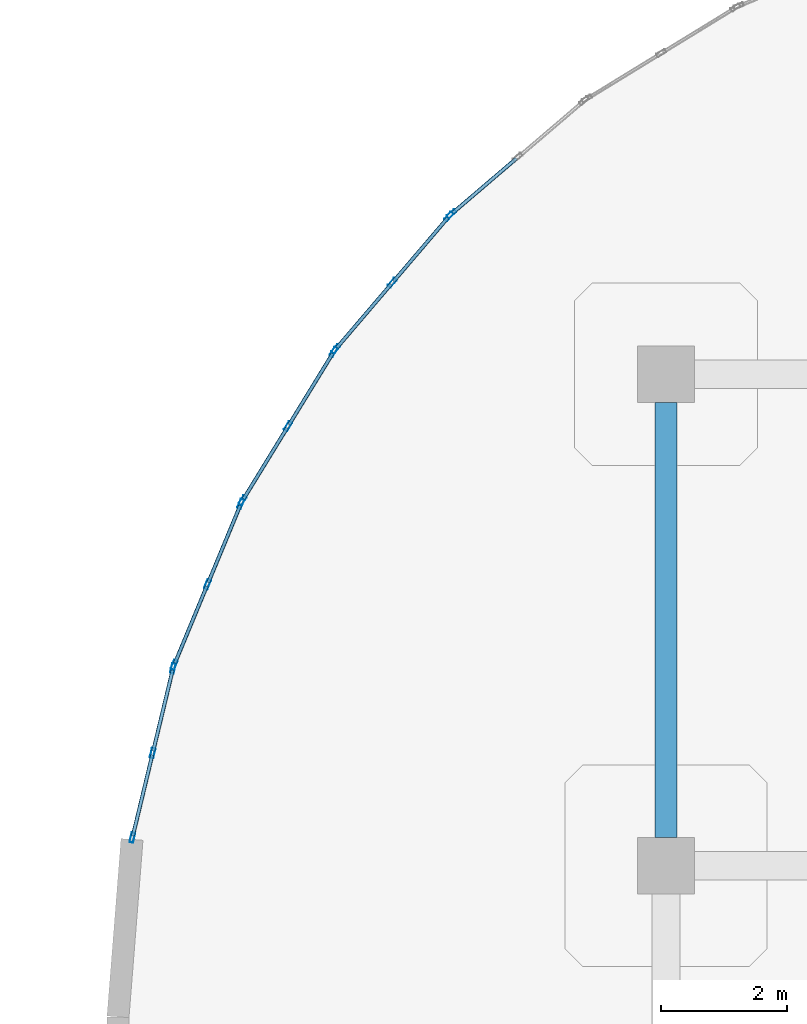
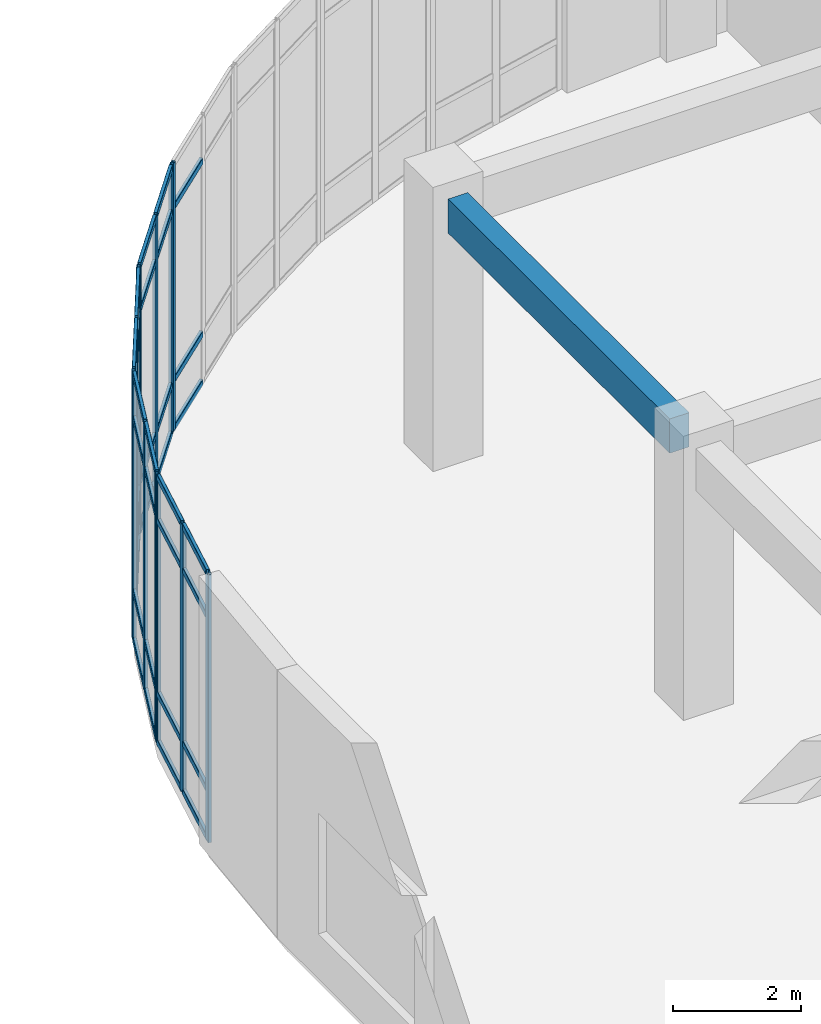
# One storey, part 44 of 114: 48 members, 1 beam, 5 elements without a shape of their own.
"""IFC4 building model written with IfcOpenShell, lengths in metres."""

from ifc_helpers import new_model, si_unit, derived_unit, direction, frame, origin, origin_2d, place, context, subcontext, project, spatial, rectangle, hollow_rectangle, extrude, material, layer, layer_set, material_profile, profile_set, type_object, element, aggregate, save


model = new_model("IFC4")

# Units and contexts
model_context = context("Model", 3, precision=1e-05, world=origin(), true_north=direction((0.0, 1.0)))
body_context = subcontext(model_context, "Body", "Model", "MODEL_VIEW")
ifc_project = project(units=[si_unit("LENGTHUNIT", "METRE"), si_unit("AREAUNIT", "SQUARE_METRE"), si_unit("VOLUMEUNIT", "CUBIC_METRE"), si_unit("PLANEANGLEUNIT", "RADIAN"), si_unit("MASSUNIT", "GRAM", prefix="KILO"), derived_unit("THERMALTRANSMITTANCEUNIT", [(si_unit("MASSUNIT", "GRAM", prefix="KILO"), 1), (si_unit("TIMEUNIT", "SECOND"), -3), (si_unit("THERMODYNAMICTEMPERATUREUNIT", "KELVIN"), -1)])], contexts=[model_context])

# Site, building, storey
site_placement = place(None, origin())
site = spatial("IfcSite", under=ifc_project, at=site_placement, CompositionType="ELEMENT")
building_placement = place(site_placement, origin())
building = spatial("IfcBuilding", under=site, at=building_placement, Name="Qinzheling Arcade Emporium", CompositionType="ELEMENT")
storey_placement = place(building_placement, frame((0.0, 0.0, 6.0)))
storey = spatial("IfcBuildingStorey", under=building, at=storey_placement, Name="L02", CompositionType="ELEMENT", Elevation=6.0)

# Curtain wall, members
ifc_material_1 = material(Name="Anodised aluminium and solar-control double glazing", Category="aluminium")
ifc_layer = layer(ifc_material_1, 0.159912109375, Name="Anodised aluminium and solar-control double glazing", Category="aluminium")
ifc_layer_set = layer_set([ifc_layer], Name="Anodised aluminium and solar-control double glazing")
curtain_wall_type = type_object("IfcCurtainWallType", Name="Curved Ribbon Sales Curtain Wall", PredefinedType="NOTDEFINED", material=ifc_layer_set)
curtain_wall_1_placement = place(storey_placement, origin())
curtain_wall_1 = element("IfcCurtainWall", 1, at=curtain_wall_1_placement, inside=storey, type_object=curtain_wall_type, Name="Curtain Wall CW-L02-094", PredefinedType="NOTDEFINED")
ifc_material_2 = material(Name="Anodised aluminium 6063-T6", Category="aluminium")
ifc_material_profile_1 = material_profile(ifc_material_2, hollow_rectangle(XDim=0.06005859375, YDim=0.159912109375, WallThickness=0.00390625, InnerFilletRadius=0.00390625, OuterFilletRadius=0.008056640625, at=origin_2d()), Name="RHS 160x60x4", Category="aluminium")
ifc_profile_set_1 = profile_set([ifc_material_profile_1], Name="Anodised aluminium 6063-T6")
member_type_1 = type_object("IfcMemberType", Name="Curtain Wall Mullion RHS160x60", PredefinedType="MULLION", material=ifc_profile_set_1)
member_1_placement = place(storey_placement, frame((52.428955078125, 99.445068359375, 0.0), z_axis=(0.0, 0.0, 1.0), x_axis=(-0.972390516216, 0.233359559423, 0.0)))
member_1 = element("IfcMember", 2, at=member_1_placement, type_object=member_type_1, Name="CW02 mullion 1", PredefinedType="MULLION", context=body_context, shape_type="SweptSolid", body=[
    extrude(hollow_rectangle(XDim=0.06005859375, YDim=0.159912109375, WallThickness=0.00390625, InnerFilletRadius=0.00390625, OuterFilletRadius=0.008056640625, at=origin_2d()), origin(), (0.0, 0.0, 1.0), 5.090087890625),
])
member_2_placement = place(storey_placement, frame((52.75146484375, 100.7890625, 0.0), z_axis=(0.0, 0.0, 1.0), x_axis=(-0.972390516216, 0.233359559423, 0.0)))
member_2 = element("IfcMember", 3, at=member_2_placement, type_object=member_type_1, Name="CW02 mullion 2", PredefinedType="MULLION", context=body_context, shape_type="SweptSolid", body=[
    extrude(hollow_rectangle(XDim=0.06005859375, YDim=0.159912109375, WallThickness=0.00390625, InnerFilletRadius=0.00390625, OuterFilletRadius=0.008056640625, at=origin_2d()), origin(), (0.0, 0.0, 1.0), 5.090087890625),
])
member_3_placement = place(storey_placement, frame((53.073974609375, 102.1328125, 0.0), z_axis=(0.0, 0.0, 1.0), x_axis=(-0.972390516216, 0.233359559423, 0.0)))
member_3 = element("IfcMember", 4, at=member_3_placement, type_object=member_type_1, Name="CW02 mullion 3", PredefinedType="MULLION", context=body_context, shape_type="SweptSolid", body=[
    extrude(hollow_rectangle(XDim=0.06005859375, YDim=0.159912109375, WallThickness=0.00390625, InnerFilletRadius=0.00390625, OuterFilletRadius=0.008056640625, at=origin_2d()), origin(), (0.0, 0.0, 1.0), 5.090087890625),
])

curtain_wall_2_placement = place(storey_placement, origin())
curtain_wall_2 = element("IfcCurtainWall", 5, at=curtain_wall_2_placement, inside=storey, type_object=curtain_wall_type, Name="Curtain Wall CW-L02-095", PredefinedType="NOTDEFINED")
member_4_placement = place(storey_placement, frame((53.092529296875, 102.189697265625, 0.0), z_axis=(0.0, 0.0, 1.0), x_axis=(-0.923891721508, 0.382654004198, 0.0)))
member_4 = element("IfcMember", 6, at=member_4_placement, type_object=member_type_1, Name="CW02 mullion 1", PredefinedType="MULLION", context=body_context, shape_type="SweptSolid", body=[
    extrude(hollow_rectangle(XDim=0.06005859375, YDim=0.159912109375, WallThickness=0.00390625, InnerFilletRadius=0.00390625, OuterFilletRadius=0.008056640625, at=origin_2d()), origin(), (0.0, 0.0, 1.0), 5.090087890625),
])
member_5_placement = place(storey_placement, frame((53.62158203125, 103.467041015625, 0.0), z_axis=(0.0, 0.0, 1.0), x_axis=(-0.923891721508, 0.382654004198, 0.0)))
member_5 = element("IfcMember", 7, at=member_5_placement, type_object=member_type_1, Name="CW02 mullion 2", PredefinedType="MULLION", context=body_context, shape_type="SweptSolid", body=[
    extrude(hollow_rectangle(XDim=0.06005859375, YDim=0.159912109375, WallThickness=0.00390625, InnerFilletRadius=0.00390625, OuterFilletRadius=0.008056640625, at=origin_2d()), origin(), (0.0, 0.0, 1.0), 5.090087890625),
])
member_6_placement = place(storey_placement, frame((54.150634765625, 104.744384765625, 0.0), z_axis=(0.0, 0.0, 1.0), x_axis=(-0.923891721508, 0.382654004198, 0.0)))
member_6 = element("IfcMember", 8, at=member_6_placement, type_object=member_type_1, Name="CW02 mullion 3", PredefinedType="MULLION", context=body_context, shape_type="SweptSolid", body=[
    extrude(hollow_rectangle(XDim=0.06005859375, YDim=0.159912109375, WallThickness=0.00390625, InnerFilletRadius=0.00390625, OuterFilletRadius=0.008056640625, at=origin_2d()), origin(), (0.0, 0.0, 1.0), 5.090087890625),
])

curtain_wall_3_placement = place(storey_placement, origin())
curtain_wall_3 = element("IfcCurtainWall", 9, at=curtain_wall_3_placement, inside=storey, type_object=curtain_wall_type, Name="Curtain Wall CW-L02-096", PredefinedType="NOTDEFINED")
member_7_placement = place(storey_placement, frame((54.177734375, 104.797607421875, 0.0), z_axis=(0.0, 0.0, 1.0), x_axis=(-0.852580897222, 0.522595267575, 0.0)))
member_7 = element("IfcMember", 10, at=member_7_placement, type_object=member_type_1, Name="CW02 mullion 1", PredefinedType="MULLION", context=body_context, shape_type="SweptSolid", body=[
    extrude(hollow_rectangle(XDim=0.06005859375, YDim=0.159912109375, WallThickness=0.00390625, InnerFilletRadius=0.00390625, OuterFilletRadius=0.008056640625, at=origin_2d()), origin(), (0.0, 0.0, 1.0), 5.090087890625),
])
member_8_placement = place(storey_placement, frame((54.89990234375, 105.97607421875, 0.0), z_axis=(0.0, 0.0, 1.0), x_axis=(-0.852580897222, 0.522595267575, 0.0)))
member_8 = element("IfcMember", 11, at=member_8_placement, type_object=member_type_1, Name="CW02 mullion 2", PredefinedType="MULLION", context=body_context, shape_type="SweptSolid", body=[
    extrude(hollow_rectangle(XDim=0.06005859375, YDim=0.159912109375, WallThickness=0.00390625, InnerFilletRadius=0.00390625, OuterFilletRadius=0.008056640625, at=origin_2d()), origin(), (0.0, 0.0, 1.0), 5.090087890625),
])
member_9_placement = place(storey_placement, frame((55.622314453125, 107.154541015625, 0.0), z_axis=(0.0, 0.0, 1.0), x_axis=(-0.852580897222, 0.522595267575, 0.0)))
member_9 = element("IfcMember", 12, at=member_9_placement, type_object=member_type_1, Name="CW02 mullion 3", PredefinedType="MULLION", context=body_context, shape_type="SweptSolid", body=[
    extrude(hollow_rectangle(XDim=0.06005859375, YDim=0.159912109375, WallThickness=0.00390625, InnerFilletRadius=0.00390625, OuterFilletRadius=0.008056640625, at=origin_2d()), origin(), (0.0, 0.0, 1.0), 5.090087890625),
])

curtain_wall_4_placement = place(storey_placement, origin())
curtain_wall_4 = element("IfcCurtainWall", 13, at=curtain_wall_4_placement, inside=storey, type_object=curtain_wall_type, Name="Curtain Wall CW-L02-097", PredefinedType="NOTDEFINED")
member_10_placement = place(storey_placement, frame((55.657470703125, 107.202880859375, 0.0), z_axis=(0.0, 0.0, 1.0), x_axis=(-0.760504799831, 0.64933231048, 0.0)))
member_10 = element("IfcMember", 14, at=member_10_placement, type_object=member_type_1, Name="CW02 mullion 1", PredefinedType="MULLION", context=body_context, shape_type="SweptSolid", body=[
    extrude(hollow_rectangle(XDim=0.06005859375, YDim=0.159912109375, WallThickness=0.00390625, InnerFilletRadius=0.00390625, OuterFilletRadius=0.008056640625, at=origin_2d()), origin(), (0.0, 0.0, 1.0), 5.090087890625),
])
member_11_placement = place(storey_placement, frame((56.554931640625, 108.25390625, 0.0), z_axis=(0.0, 0.0, 1.0), x_axis=(-0.760504799831, 0.64933231048, 0.0)))
member_11 = element("IfcMember", 15, at=member_11_placement, type_object=member_type_1, Name="CW02 mullion 2", PredefinedType="MULLION", context=body_context, shape_type="SweptSolid", body=[
    extrude(hollow_rectangle(XDim=0.06005859375, YDim=0.159912109375, WallThickness=0.00390625, InnerFilletRadius=0.00390625, OuterFilletRadius=0.008056640625, at=origin_2d()), origin(), (0.0, 0.0, 1.0), 5.090087890625),
])
member_12_placement = place(storey_placement, frame((57.45263671875, 109.30517578125, 0.0), z_axis=(0.0, 0.0, 1.0), x_axis=(-0.760504799831, 0.64933231048, 0.0)))
member_12 = element("IfcMember", 16, at=member_12_placement, type_object=member_type_1, Name="CW02 mullion 3", PredefinedType="MULLION", context=body_context, shape_type="SweptSolid", body=[
    extrude(hollow_rectangle(XDim=0.06005859375, YDim=0.159912109375, WallThickness=0.00390625, InnerFilletRadius=0.00390625, OuterFilletRadius=0.008056640625, at=origin_2d()), origin(), (0.0, 0.0, 1.0), 5.090087890625),
])

# Curtain wall, member
curtain_wall_5_placement = place(storey_placement, origin())
curtain_wall_5 = element("IfcCurtainWall", 17, at=curtain_wall_5_placement, inside=storey, type_object=curtain_wall_type, Name="Curtain Wall CW-L02-098", PredefinedType="NOTDEFINED")
member_13_placement = place(storey_placement, frame((57.494873046875, 109.347412109375, 0.0), z_axis=(0.0, 0.0, 1.0), x_axis=(-0.64933231048, 0.760504799831, 0.0)))
member_13 = element("IfcMember", 18, at=member_13_placement, type_object=member_type_1, Name="CW02 mullion 1", PredefinedType="MULLION", context=body_context, shape_type="SweptSolid", body=[
    extrude(hollow_rectangle(XDim=0.06005859375, YDim=0.159912109375, WallThickness=0.00390625, InnerFilletRadius=0.00390625, OuterFilletRadius=0.008056640625, at=origin_2d()), origin(), (0.0, 0.0, 1.0), 5.090087890625),
])

# Member
ifc_material_profile_2 = material_profile(ifc_material_2, hollow_rectangle(XDim=0.06005859375, YDim=0.1201171875, WallThickness=0.00390625, InnerFilletRadius=0.00390625, OuterFilletRadius=0.008056640625, at=origin_2d()), Name="RHS 120x60x4", Category="aluminium")
ifc_profile_set_2 = profile_set([ifc_material_profile_2], Name="Anodised aluminium 6063-T6")
member_type_2 = type_object("IfcMemberType", Name="Curtain Wall Transom RHS120x60", PredefinedType="USERDEFINED", material=ifc_profile_set_2)
member_14_placement = place(storey_placement, frame((52.43603515625, 99.474365234375, 0.030029296875), z_axis=(0.233268170265, 0.97241244374, 0.0), x_axis=(-0.97241244374, 0.233268170265, 0.0)))
member_14 = element("IfcMember", 19, at=member_14_placement, type_object=member_type_2, Name="CW02 transom 1.1", ObjectType="TRANSOM", PredefinedType="USERDEFINED", context=body_context, shape_type="SweptSolid", body=[
    extrude(hollow_rectangle(XDim=0.06005859375, YDim=0.1201171875, WallThickness=0.00390625, InnerFilletRadius=0.00390625, OuterFilletRadius=0.008056640625, at=origin_2d()), origin(), (0.0, 0.0, 1.0), 1.32177734375),
])

member_15_placement = place(storey_placement, frame((52.43603515625, 99.474365234375, 0.949951171875), z_axis=(0.233268170265, 0.97241244374, 0.0), x_axis=(-0.97241244374, 0.233268170265, 0.0)))
member_15 = element("IfcMember", 20, at=member_15_placement, type_object=member_type_2, Name="CW02 transom 1.2", ObjectType="TRANSOM", PredefinedType="USERDEFINED", context=body_context, shape_type="SweptSolid", body=[
    extrude(hollow_rectangle(XDim=0.06005859375, YDim=0.1201171875, WallThickness=0.00390625, InnerFilletRadius=0.00390625, OuterFilletRadius=0.008056640625, at=origin_2d()), origin(), (0.0, 0.0, 1.0), 1.32177734375),
])

member_16_placement = place(storey_placement, frame((52.43603515625, 99.474365234375, 4.239990234375), z_axis=(0.233268170265, 0.97241244374, 0.0), x_axis=(-0.97241244374, 0.233268170265, 0.0)))
member_16 = element("IfcMember", 21, at=member_16_placement, type_object=member_type_2, Name="CW02 transom 1.3", ObjectType="TRANSOM", PredefinedType="USERDEFINED", context=body_context, shape_type="SweptSolid", body=[
    extrude(hollow_rectangle(XDim=0.06005859375, YDim=0.1201171875, WallThickness=0.00390625, InnerFilletRadius=0.00390625, OuterFilletRadius=0.008056640625, at=origin_2d()), origin(), (0.0, 0.0, 1.0), 1.32177734375),
])

member_17_placement = place(storey_placement, frame((52.43603515625, 99.474365234375, 5.06005859375), z_axis=(0.233268170265, 0.97241244374, 0.0), x_axis=(-0.97241244374, 0.233268170265, 0.0)))
member_17 = element("IfcMember", 22, at=member_17_placement, type_object=member_type_2, Name="CW02 transom 1.4", ObjectType="TRANSOM", PredefinedType="USERDEFINED", context=body_context, shape_type="SweptSolid", body=[
    extrude(hollow_rectangle(XDim=0.06005859375, YDim=0.1201171875, WallThickness=0.00390625, InnerFilletRadius=0.00390625, OuterFilletRadius=0.008056640625, at=origin_2d()), origin(), (0.0, 0.0, 1.0), 1.32177734375),
])

member_18_placement = place(storey_placement, frame((52.758544921875, 100.818115234375, 0.030029296875), z_axis=(0.233226282964, 0.972422490965, 0.0), x_axis=(-0.972422490965, 0.233226282964, 0.0)))
member_18 = element("IfcMember", 23, at=member_18_placement, type_object=member_type_2, Name="CW02 transom 2.1", ObjectType="TRANSOM", PredefinedType="USERDEFINED", context=body_context, shape_type="SweptSolid", body=[
    extrude(hollow_rectangle(XDim=0.06005859375, YDim=0.1201171875, WallThickness=0.00390625, InnerFilletRadius=0.00390625, OuterFilletRadius=0.008056640625, at=origin_2d()), origin(), (0.0, 0.0, 1.0), 1.322021484375),
])

member_19_placement = place(storey_placement, frame((52.758544921875, 100.818115234375, 0.949951171875), z_axis=(0.233226282964, 0.972422490965, 0.0), x_axis=(-0.972422490965, 0.233226282964, 0.0)))
member_19 = element("IfcMember", 24, at=member_19_placement, type_object=member_type_2, Name="CW02 transom 2.2", ObjectType="TRANSOM", PredefinedType="USERDEFINED", context=body_context, shape_type="SweptSolid", body=[
    extrude(hollow_rectangle(XDim=0.06005859375, YDim=0.1201171875, WallThickness=0.00390625, InnerFilletRadius=0.00390625, OuterFilletRadius=0.008056640625, at=origin_2d()), origin(), (0.0, 0.0, 1.0), 1.322021484375),
])

member_20_placement = place(storey_placement, frame((52.758544921875, 100.818115234375, 4.239990234375), z_axis=(0.233226282964, 0.972422490965, 0.0), x_axis=(-0.972422490965, 0.233226282964, 0.0)))
member_20 = element("IfcMember", 25, at=member_20_placement, type_object=member_type_2, Name="CW02 transom 2.3", ObjectType="TRANSOM", PredefinedType="USERDEFINED", context=body_context, shape_type="SweptSolid", body=[
    extrude(hollow_rectangle(XDim=0.06005859375, YDim=0.1201171875, WallThickness=0.00390625, InnerFilletRadius=0.00390625, OuterFilletRadius=0.008056640625, at=origin_2d()), origin(), (0.0, 0.0, 1.0), 1.322021484375),
])

member_21_placement = place(storey_placement, frame((52.758544921875, 100.818115234375, 5.06005859375), z_axis=(0.233226282964, 0.972422490965, 0.0), x_axis=(-0.972422490965, 0.233226282964, 0.0)))
member_21 = element("IfcMember", 26, at=member_21_placement, type_object=member_type_2, Name="CW02 transom 2.4", ObjectType="TRANSOM", PredefinedType="USERDEFINED", context=body_context, shape_type="SweptSolid", body=[
    extrude(hollow_rectangle(XDim=0.06005859375, YDim=0.1201171875, WallThickness=0.00390625, InnerFilletRadius=0.00390625, OuterFilletRadius=0.008056640625, at=origin_2d()), origin(), (0.0, 0.0, 1.0), 1.322021484375),
])

aggregate(curtain_wall_1, [member_1, member_2, member_3, member_14, member_15, member_16, member_17, member_18, member_19, member_20, member_21])

member_22_placement = place(storey_placement, frame((53.10400390625, 102.217529296875, 0.030029296875), z_axis=(0.382726820974, 0.923861559167, 0.0), x_axis=(-0.923861559167, 0.382726820974, 0.0)))
member_22 = element("IfcMember", 27, at=member_22_placement, type_object=member_type_2, Name="CW02 transom 1.1", ObjectType="TRANSOM", PredefinedType="USERDEFINED", context=body_context, shape_type="SweptSolid", body=[
    extrude(hollow_rectangle(XDim=0.06005859375, YDim=0.1201171875, WallThickness=0.00390625, InnerFilletRadius=0.00390625, OuterFilletRadius=0.008056640625, at=origin_2d()), origin(), (0.0, 0.0, 1.0), 1.322265625),
])

member_23_placement = place(storey_placement, frame((53.10400390625, 102.217529296875, 0.949951171875), z_axis=(0.382726820974, 0.923861559167, 0.0), x_axis=(-0.923861559167, 0.382726820974, 0.0)))
member_23 = element("IfcMember", 28, at=member_23_placement, type_object=member_type_2, Name="CW02 transom 1.2", ObjectType="TRANSOM", PredefinedType="USERDEFINED", context=body_context, shape_type="SweptSolid", body=[
    extrude(hollow_rectangle(XDim=0.06005859375, YDim=0.1201171875, WallThickness=0.00390625, InnerFilletRadius=0.00390625, OuterFilletRadius=0.008056640625, at=origin_2d()), origin(), (0.0, 0.0, 1.0), 1.322265625),
])

member_24_placement = place(storey_placement, frame((53.10400390625, 102.217529296875, 4.239990234375), z_axis=(0.382726820974, 0.923861559167, 0.0), x_axis=(-0.923861559167, 0.382726820974, 0.0)))
member_24 = element("IfcMember", 29, at=member_24_placement, type_object=member_type_2, Name="CW02 transom 1.3", ObjectType="TRANSOM", PredefinedType="USERDEFINED", context=body_context, shape_type="SweptSolid", body=[
    extrude(hollow_rectangle(XDim=0.06005859375, YDim=0.1201171875, WallThickness=0.00390625, InnerFilletRadius=0.00390625, OuterFilletRadius=0.008056640625, at=origin_2d()), origin(), (0.0, 0.0, 1.0), 1.322265625),
])

member_25_placement = place(storey_placement, frame((53.10400390625, 102.217529296875, 5.06005859375), z_axis=(0.382726820974, 0.923861559167, 0.0), x_axis=(-0.923861559167, 0.382726820974, 0.0)))
member_25 = element("IfcMember", 30, at=member_25_placement, type_object=member_type_2, Name="CW02 transom 1.4", ObjectType="TRANSOM", PredefinedType="USERDEFINED", context=body_context, shape_type="SweptSolid", body=[
    extrude(hollow_rectangle(XDim=0.06005859375, YDim=0.1201171875, WallThickness=0.00390625, InnerFilletRadius=0.00390625, OuterFilletRadius=0.008056640625, at=origin_2d()), origin(), (0.0, 0.0, 1.0), 1.322265625),
])

member_26_placement = place(storey_placement, frame((53.633056640625, 103.49462890625, 0.030029296875), z_axis=(0.382661550363, 0.92388859603, 0.0), x_axis=(-0.92388859603, 0.382661550363, 0.0)))
member_26 = element("IfcMember", 31, at=member_26_placement, type_object=member_type_2, Name="CW02 transom 2.1", ObjectType="TRANSOM", PredefinedType="USERDEFINED", context=body_context, shape_type="SweptSolid", body=[
    extrude(hollow_rectangle(XDim=0.06005859375, YDim=0.1201171875, WallThickness=0.00390625, InnerFilletRadius=0.00390625, OuterFilletRadius=0.008056640625, at=origin_2d()), origin(), (0.0, 0.0, 1.0), 1.322509765625),
])

member_27_placement = place(storey_placement, frame((53.633056640625, 103.49462890625, 0.949951171875), z_axis=(0.382661550363, 0.92388859603, 0.0), x_axis=(-0.92388859603, 0.382661550363, 0.0)))
member_27 = element("IfcMember", 32, at=member_27_placement, type_object=member_type_2, Name="CW02 transom 2.2", ObjectType="TRANSOM", PredefinedType="USERDEFINED", context=body_context, shape_type="SweptSolid", body=[
    extrude(hollow_rectangle(XDim=0.06005859375, YDim=0.1201171875, WallThickness=0.00390625, InnerFilletRadius=0.00390625, OuterFilletRadius=0.008056640625, at=origin_2d()), origin(), (0.0, 0.0, 1.0), 1.322509765625),
])

member_28_placement = place(storey_placement, frame((53.633056640625, 103.49462890625, 4.239990234375), z_axis=(0.382661550363, 0.92388859603, 0.0), x_axis=(-0.92388859603, 0.382661550363, 0.0)))
member_28 = element("IfcMember", 33, at=member_28_placement, type_object=member_type_2, Name="CW02 transom 2.3", ObjectType="TRANSOM", PredefinedType="USERDEFINED", context=body_context, shape_type="SweptSolid", body=[
    extrude(hollow_rectangle(XDim=0.06005859375, YDim=0.1201171875, WallThickness=0.00390625, InnerFilletRadius=0.00390625, OuterFilletRadius=0.008056640625, at=origin_2d()), origin(), (0.0, 0.0, 1.0), 1.322509765625),
])

member_29_placement = place(storey_placement, frame((53.633056640625, 103.49462890625, 5.06005859375), z_axis=(0.382661550363, 0.92388859603, 0.0), x_axis=(-0.92388859603, 0.382661550363, 0.0)))
member_29 = element("IfcMember", 34, at=member_29_placement, type_object=member_type_2, Name="CW02 transom 2.4", ObjectType="TRANSOM", PredefinedType="USERDEFINED", context=body_context, shape_type="SweptSolid", body=[
    extrude(hollow_rectangle(XDim=0.06005859375, YDim=0.1201171875, WallThickness=0.00390625, InnerFilletRadius=0.00390625, OuterFilletRadius=0.008056640625, at=origin_2d()), origin(), (0.0, 0.0, 1.0), 1.322509765625),
])

aggregate(curtain_wall_2, [member_4, member_5, member_6, member_22, member_23, member_24, member_25, member_26, member_27, member_28, member_29])

member_30_placement = place(storey_placement, frame((54.193359375, 104.8232421875, 0.030029296875), z_axis=(0.522592368923, 0.852582673964, 0.0), x_axis=(-0.852582673964, 0.522592368923, 0.0)))
member_30 = element("IfcMember", 35, at=member_30_placement, type_object=member_type_2, Name="CW02 transom 1.1", ObjectType="TRANSOM", PredefinedType="USERDEFINED", context=body_context, shape_type="SweptSolid", body=[
    extrude(hollow_rectangle(XDim=0.06005859375, YDim=0.1201171875, WallThickness=0.00390625, InnerFilletRadius=0.00390625, OuterFilletRadius=0.008056640625, at=origin_2d()), origin(), (0.0, 0.0, 1.0), 1.322021484375),
])

member_31_placement = place(storey_placement, frame((54.193359375, 104.8232421875, 0.949951171875), z_axis=(0.522592368923, 0.852582673964, 0.0), x_axis=(-0.852582673964, 0.522592368923, 0.0)))
member_31 = element("IfcMember", 36, at=member_31_placement, type_object=member_type_2, Name="CW02 transom 1.2", ObjectType="TRANSOM", PredefinedType="USERDEFINED", context=body_context, shape_type="SweptSolid", body=[
    extrude(hollow_rectangle(XDim=0.06005859375, YDim=0.1201171875, WallThickness=0.00390625, InnerFilletRadius=0.00390625, OuterFilletRadius=0.008056640625, at=origin_2d()), origin(), (0.0, 0.0, 1.0), 1.322021484375),
])

member_32_placement = place(storey_placement, frame((54.193359375, 104.8232421875, 4.239990234375), z_axis=(0.522592368923, 0.852582673964, 0.0), x_axis=(-0.852582673964, 0.522592368923, 0.0)))
member_32 = element("IfcMember", 37, at=member_32_placement, type_object=member_type_2, Name="CW02 transom 1.3", ObjectType="TRANSOM", PredefinedType="USERDEFINED", context=body_context, shape_type="SweptSolid", body=[
    extrude(hollow_rectangle(XDim=0.06005859375, YDim=0.1201171875, WallThickness=0.00390625, InnerFilletRadius=0.00390625, OuterFilletRadius=0.008056640625, at=origin_2d()), origin(), (0.0, 0.0, 1.0), 1.322021484375),
])

member_33_placement = place(storey_placement, frame((54.193359375, 104.8232421875, 5.06005859375), z_axis=(0.522592368923, 0.852582673964, 0.0), x_axis=(-0.852582673964, 0.522592368923, 0.0)))
member_33 = element("IfcMember", 38, at=member_33_placement, type_object=member_type_2, Name="CW02 transom 1.4", ObjectType="TRANSOM", PredefinedType="USERDEFINED", context=body_context, shape_type="SweptSolid", body=[
    extrude(hollow_rectangle(XDim=0.06005859375, YDim=0.1201171875, WallThickness=0.00390625, InnerFilletRadius=0.00390625, OuterFilletRadius=0.008056640625, at=origin_2d()), origin(), (0.0, 0.0, 1.0), 1.322021484375),
])

member_34_placement = place(storey_placement, frame((54.915771484375, 106.00146484375, 0.030029296875), z_axis=(0.522510102869, 0.852633093657, 0.0), x_axis=(-0.852633093657, 0.522510102869, 0.0)))
member_34 = element("IfcMember", 39, at=member_34_placement, type_object=member_type_2, Name="CW02 transom 2.1", ObjectType="TRANSOM", PredefinedType="USERDEFINED", context=body_context, shape_type="SweptSolid", body=[
    extrude(hollow_rectangle(XDim=0.06005859375, YDim=0.1201171875, WallThickness=0.00390625, InnerFilletRadius=0.00390625, OuterFilletRadius=0.008056640625, at=origin_2d()), origin(), (0.0, 0.0, 1.0), 1.322265625),
])

member_35_placement = place(storey_placement, frame((54.915771484375, 106.00146484375, 0.949951171875), z_axis=(0.522510102869, 0.852633093657, 0.0), x_axis=(-0.852633093657, 0.522510102869, 0.0)))
member_35 = element("IfcMember", 40, at=member_35_placement, type_object=member_type_2, Name="CW02 transom 2.2", ObjectType="TRANSOM", PredefinedType="USERDEFINED", context=body_context, shape_type="SweptSolid", body=[
    extrude(hollow_rectangle(XDim=0.06005859375, YDim=0.1201171875, WallThickness=0.00390625, InnerFilletRadius=0.00390625, OuterFilletRadius=0.008056640625, at=origin_2d()), origin(), (0.0, 0.0, 1.0), 1.322265625),
])

member_36_placement = place(storey_placement, frame((54.915771484375, 106.00146484375, 4.239990234375), z_axis=(0.522510102869, 0.852633093657, 0.0), x_axis=(-0.852633093657, 0.522510102869, 0.0)))
member_36 = element("IfcMember", 41, at=member_36_placement, type_object=member_type_2, Name="CW02 transom 2.3", ObjectType="TRANSOM", PredefinedType="USERDEFINED", context=body_context, shape_type="SweptSolid", body=[
    extrude(hollow_rectangle(XDim=0.06005859375, YDim=0.1201171875, WallThickness=0.00390625, InnerFilletRadius=0.00390625, OuterFilletRadius=0.008056640625, at=origin_2d()), origin(), (0.0, 0.0, 1.0), 1.322265625),
])

member_37_placement = place(storey_placement, frame((54.915771484375, 106.00146484375, 5.06005859375), z_axis=(0.522510102869, 0.852633093657, 0.0), x_axis=(-0.852633093657, 0.522510102869, 0.0)))
member_37 = element("IfcMember", 42, at=member_37_placement, type_object=member_type_2, Name="CW02 transom 2.4", ObjectType="TRANSOM", PredefinedType="USERDEFINED", context=body_context, shape_type="SweptSolid", body=[
    extrude(hollow_rectangle(XDim=0.06005859375, YDim=0.1201171875, WallThickness=0.00390625, InnerFilletRadius=0.00390625, OuterFilletRadius=0.008056640625, at=origin_2d()), origin(), (0.0, 0.0, 1.0), 1.322265625),
])

aggregate(curtain_wall_3, [member_7, member_8, member_9, member_30, member_31, member_32, member_33, member_34, member_35, member_36, member_37])

member_38_placement = place(storey_placement, frame((55.677001953125, 107.2255859375, 0.030029296875), z_axis=(0.649238932665, 0.760584517534, 0.0), x_axis=(-0.760584517534, 0.649238932665, 0.0)))
member_38 = element("IfcMember", 43, at=member_38_placement, type_object=member_type_2, Name="CW02 transom 1.1", ObjectType="TRANSOM", PredefinedType="USERDEFINED", context=body_context, shape_type="SweptSolid", body=[
    extrude(hollow_rectangle(XDim=0.06005859375, YDim=0.1201171875, WallThickness=0.00390625, InnerFilletRadius=0.00390625, OuterFilletRadius=0.008056640625, at=origin_2d()), origin(), (0.0, 0.0, 1.0), 1.322265625),
])

member_39_placement = place(storey_placement, frame((55.677001953125, 107.2255859375, 0.949951171875), z_axis=(0.649238932665, 0.760584517534, 0.0), x_axis=(-0.760584517534, 0.649238932665, 0.0)))
member_39 = element("IfcMember", 44, at=member_39_placement, type_object=member_type_2, Name="CW02 transom 1.2", ObjectType="TRANSOM", PredefinedType="USERDEFINED", context=body_context, shape_type="SweptSolid", body=[
    extrude(hollow_rectangle(XDim=0.06005859375, YDim=0.1201171875, WallThickness=0.00390625, InnerFilletRadius=0.00390625, OuterFilletRadius=0.008056640625, at=origin_2d()), origin(), (0.0, 0.0, 1.0), 1.322265625),
])

member_40_placement = place(storey_placement, frame((55.677001953125, 107.2255859375, 4.239990234375), z_axis=(0.649238932665, 0.760584517534, 0.0), x_axis=(-0.760584517534, 0.649238932665, 0.0)))
member_40 = element("IfcMember", 45, at=member_40_placement, type_object=member_type_2, Name="CW02 transom 1.3", ObjectType="TRANSOM", PredefinedType="USERDEFINED", context=body_context, shape_type="SweptSolid", body=[
    extrude(hollow_rectangle(XDim=0.06005859375, YDim=0.1201171875, WallThickness=0.00390625, InnerFilletRadius=0.00390625, OuterFilletRadius=0.008056640625, at=origin_2d()), origin(), (0.0, 0.0, 1.0), 1.322265625),
])

member_41_placement = place(storey_placement, frame((55.677001953125, 107.2255859375, 5.06005859375), z_axis=(0.649238932665, 0.760584517534, 0.0), x_axis=(-0.760584517534, 0.649238932665, 0.0)))
member_41 = element("IfcMember", 46, at=member_41_placement, type_object=member_type_2, Name="CW02 transom 1.4", ObjectType="TRANSOM", PredefinedType="USERDEFINED", context=body_context, shape_type="SweptSolid", body=[
    extrude(hollow_rectangle(XDim=0.06005859375, YDim=0.1201171875, WallThickness=0.00390625, InnerFilletRadius=0.00390625, OuterFilletRadius=0.008056640625, at=origin_2d()), origin(), (0.0, 0.0, 1.0), 1.322265625),
])

member_42_placement = place(storey_placement, frame((56.574462890625, 108.27685546875, 0.030029296875), z_axis=(0.649345732985, 0.760493339257, 0.0), x_axis=(-0.760493339257, 0.649345732985, 0.0)))
member_42 = element("IfcMember", 47, at=member_42_placement, type_object=member_type_2, Name="CW02 transom 2.1", ObjectType="TRANSOM", PredefinedType="USERDEFINED", context=body_context, shape_type="SweptSolid", body=[
    extrude(hollow_rectangle(XDim=0.06005859375, YDim=0.1201171875, WallThickness=0.00390625, InnerFilletRadius=0.00390625, OuterFilletRadius=0.008056640625, at=origin_2d()), origin(), (0.0, 0.0, 1.0), 1.322265625),
])

member_43_placement = place(storey_placement, frame((56.574462890625, 108.27685546875, 0.949951171875), z_axis=(0.649345732985, 0.760493339257, 0.0), x_axis=(-0.760493339257, 0.649345732985, 0.0)))
member_43 = element("IfcMember", 48, at=member_43_placement, type_object=member_type_2, Name="CW02 transom 2.2", ObjectType="TRANSOM", PredefinedType="USERDEFINED", context=body_context, shape_type="SweptSolid", body=[
    extrude(hollow_rectangle(XDim=0.06005859375, YDim=0.1201171875, WallThickness=0.00390625, InnerFilletRadius=0.00390625, OuterFilletRadius=0.008056640625, at=origin_2d()), origin(), (0.0, 0.0, 1.0), 1.322265625),
])

member_44_placement = place(storey_placement, frame((56.574462890625, 108.27685546875, 4.239990234375), z_axis=(0.649345732985, 0.760493339257, 0.0), x_axis=(-0.760493339257, 0.649345732985, 0.0)))
member_44 = element("IfcMember", 49, at=member_44_placement, type_object=member_type_2, Name="CW02 transom 2.3", ObjectType="TRANSOM", PredefinedType="USERDEFINED", context=body_context, shape_type="SweptSolid", body=[
    extrude(hollow_rectangle(XDim=0.06005859375, YDim=0.1201171875, WallThickness=0.00390625, InnerFilletRadius=0.00390625, OuterFilletRadius=0.008056640625, at=origin_2d()), origin(), (0.0, 0.0, 1.0), 1.322265625),
])

member_45_placement = place(storey_placement, frame((56.574462890625, 108.27685546875, 5.06005859375), z_axis=(0.649345732985, 0.760493339257, 0.0), x_axis=(-0.760493339257, 0.649345732985, 0.0)))
member_45 = element("IfcMember", 50, at=member_45_placement, type_object=member_type_2, Name="CW02 transom 2.4", ObjectType="TRANSOM", PredefinedType="USERDEFINED", context=body_context, shape_type="SweptSolid", body=[
    extrude(hollow_rectangle(XDim=0.06005859375, YDim=0.1201171875, WallThickness=0.00390625, InnerFilletRadius=0.00390625, OuterFilletRadius=0.008056640625, at=origin_2d()), origin(), (0.0, 0.0, 1.0), 1.322265625),
])

aggregate(curtain_wall_4, [member_10, member_11, member_12, member_38, member_39, member_40, member_41, member_42, member_43, member_44, member_45])

member_46_placement = place(storey_placement, frame((57.517578125, 109.366943359375, 0.030029296875), z_axis=(0.760493339257, 0.649345732985, 0.0), x_axis=(-0.649345732985, 0.760493339257, 0.0)))
member_46 = element("IfcMember", 51, at=member_46_placement, type_object=member_type_2, Name="CW02 transom 1.1", ObjectType="TRANSOM", PredefinedType="USERDEFINED", context=body_context, shape_type="SweptSolid", body=[
    extrude(hollow_rectangle(XDim=0.06005859375, YDim=0.1201171875, WallThickness=0.00390625, InnerFilletRadius=0.00390625, OuterFilletRadius=0.008056640625, at=origin_2d()), origin(), (0.0, 0.0, 1.0), 1.322265625),
])

member_47_placement = place(storey_placement, frame((57.517578125, 109.366943359375, 0.949951171875), z_axis=(0.760493339257, 0.649345732985, 0.0), x_axis=(-0.649345732985, 0.760493339257, 0.0)))
member_47 = element("IfcMember", 52, at=member_47_placement, type_object=member_type_2, Name="CW02 transom 1.2", ObjectType="TRANSOM", PredefinedType="USERDEFINED", context=body_context, shape_type="SweptSolid", body=[
    extrude(hollow_rectangle(XDim=0.06005859375, YDim=0.1201171875, WallThickness=0.00390625, InnerFilletRadius=0.00390625, OuterFilletRadius=0.008056640625, at=origin_2d()), origin(), (0.0, 0.0, 1.0), 1.322265625),
])

member_48_placement = place(storey_placement, frame((57.517578125, 109.366943359375, 4.239990234375), z_axis=(0.760493339257, 0.649345732985, 0.0), x_axis=(-0.649345732985, 0.760493339257, 0.0)))
member_48 = element("IfcMember", 53, at=member_48_placement, type_object=member_type_2, Name="CW02 transom 1.3", ObjectType="TRANSOM", PredefinedType="USERDEFINED", context=body_context, shape_type="SweptSolid", body=[
    extrude(hollow_rectangle(XDim=0.06005859375, YDim=0.1201171875, WallThickness=0.00390625, InnerFilletRadius=0.00390625, OuterFilletRadius=0.008056640625, at=origin_2d()), origin(), (0.0, 0.0, 1.0), 1.322265625),
])

aggregate(curtain_wall_5, [member_13, member_46, member_47, member_48])

# Beam
ifc_material_3 = material(Name="Concrete C40", Category="concrete")
ifc_material_profile_3 = material_profile(ifc_material_3, rectangle(XDim=0.35009765625, YDim=0.64990234375, at=origin_2d()), Name="RC 350x650", Category="concrete")
ifc_profile_set_3 = profile_set([ifc_material_profile_3], Name="Concrete C40")
beam_type = type_object("IfcBeamType", Name="RC Spandrel Edge Beam 350x650 C40", PredefinedType="SPANDREL", material=ifc_profile_set_3)
beam_placement = place(storey_placement, frame((60.89990234375, 99.449951171875, 4.764892578125), z_axis=(0.0, 1.0, 0.0), x_axis=(-1.0, 0.0, 0.0)))
element("IfcBeam", 54, at=beam_placement, inside=storey, type_object=beam_type, Name="Beam BM-L02-Y-8-M", PredefinedType="SPANDREL", context=body_context, shape_type="SweptSolid", body=[
    extrude(rectangle(XDim=0.35009765625, YDim=0.64990234375, at=origin_2d()), origin(), (0.0, 0.0, 1.0), 6.900146484375),
])

save(model, "model.ifc")
